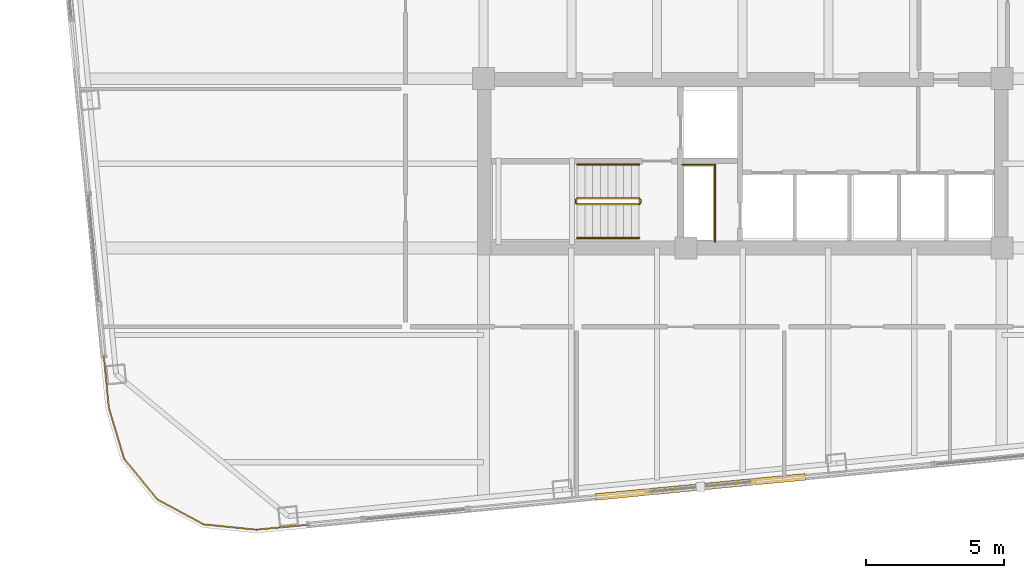
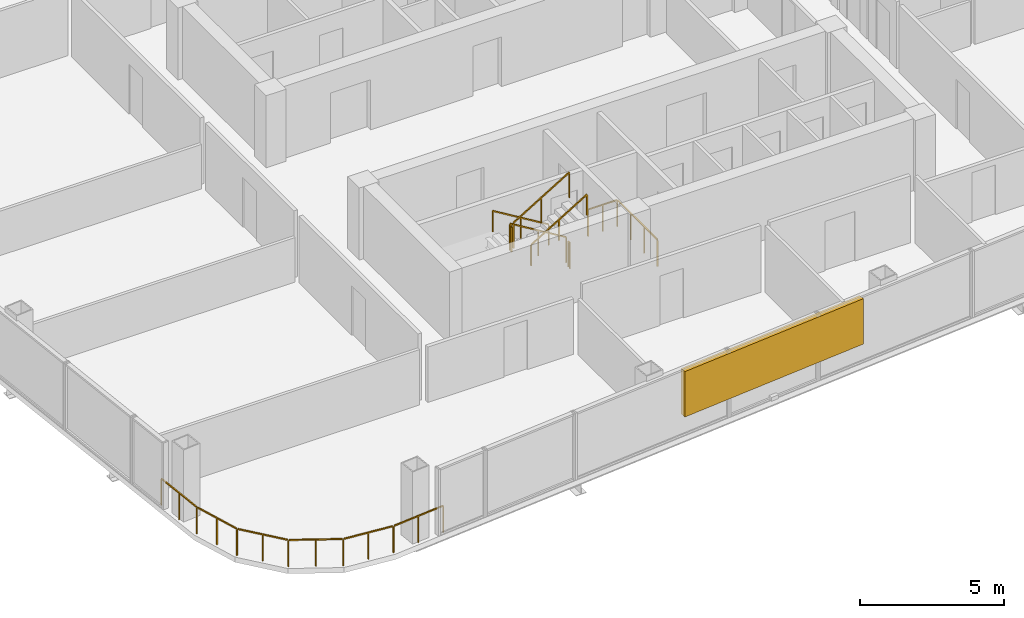
# One storey, part 20 of 22: 8 railings, 1 shading device.
"""IFC4 building model written with IfcOpenShell, lengths in metres."""

from ifc_helpers import new_model, si_unit, direction, frame, origin, origin_2d, place, context, subcontext, project, spatial, rectangle, extrude, material, type_object, element, save


model = new_model("IFC4")

# Units and contexts
model_context = context("Model", 3, precision=1e-05, world=origin(), true_north=direction((0.0, 1.0)))
body_context = subcontext(model_context, "Body", "Model", "MODEL_VIEW")
ifc_project = project(units=[si_unit("LENGTHUNIT", "METRE"), si_unit("AREAUNIT", "SQUARE_METRE"), si_unit("VOLUMEUNIT", "CUBIC_METRE"), si_unit("PLANEANGLEUNIT", "RADIAN"), si_unit("MASSUNIT", "GRAM", prefix="KILO")], contexts=[model_context])

# Site, building, storey
site_placement = place(None, origin())
site = spatial("IfcSite", under=ifc_project, at=site_placement, CompositionType="ELEMENT")
building_placement = place(site_placement, origin())
building = spatial("IfcBuilding", under=site, at=building_placement, Name="Qhalaya Broadcast Tower", CompositionType="ELEMENT")
storey_placement = place(building_placement, frame((0.0, 0.0, 174.449951171875)))
storey = spatial("IfcBuildingStorey", under=building, at=storey_placement, Name="L51", CompositionType="ELEMENT", Elevation=174.449951171875)

# Railings
ifc_material_1 = material(Name="Powder-Coated Galvanised Steel", Category="steel")
railing_type_1 = type_object("IfcRailingType", Name="Stair Wall Handrail 900", PredefinedType="HANDRAIL", material=ifc_material_1)
railing_1_placement = place(storey_placement, frame((-3.75, -5.72998046875, 0.16943359375)))
element("IfcRailing", 1, at=railing_1_placement, inside=storey, type_object=railing_type_1, Name="L51 ST-2 Stair Handrail 1", PredefinedType="HANDRAIL", context=body_context, shape_type="SweptSolid", body=[
    extrude(rectangle(XDim=0.048095703125, YDim=0.048095703125, at=origin_2d()), frame((0.0, 0.0, 0.8759765625), z_axis=(-0.855512035549, 0.0, 0.517782924622), x_axis=(0.0, -1.0, 0.0)), (0.0, 0.0, 1.0), 2.618408203125),
    extrude(rectangle(XDim=0.0419921875, YDim=0.0419921875, at=origin_2d()), origin(), (0.0, 0.0, 1.0), 0.849853515625),
    extrude(rectangle(XDim=0.0419921875, YDim=0.0419921875, at=origin_2d()), frame((-1.1201171875, 0.0, 0.677734375)), (0.0, 0.0, 1.0), 0.849853515625),
    extrude(rectangle(XDim=0.0419921875, YDim=0.0419921875, at=origin_2d()), frame((-2.239990234375, 0.0, 1.355712890625)), (0.0, 0.0, 1.0), 0.849853515625),
])
railing_2_placement = place(storey_placement, frame((-5.989990234375, -8.389892578125, 1.694580078125)))
element("IfcRailing", 2, at=railing_2_placement, inside=storey, type_object=railing_type_1, Name="L51 ST-2 Stair Handrail 2", PredefinedType="HANDRAIL", context=body_context, shape_type="SweptSolid", body=[
    extrude(rectangle(XDim=0.048095703125, YDim=0.048095703125, at=origin_2d()), frame((0.0, 0.0, 0.8759765625), z_axis=(0.855553338991, 0.0, 0.51771467445), x_axis=(0.0, 1.0, 0.0)), (0.0, 0.0, 1.0), 2.6181640625),
    extrude(rectangle(XDim=0.0419921875, YDim=0.0419921875, at=origin_2d()), origin(), (0.0, 0.0, 1.0), 0.849853515625),
    extrude(rectangle(XDim=0.0419921875, YDim=0.0419921875, at=origin_2d()), frame((1.1201171875, 0.0, 0.677734375)), (0.0, 0.0, 1.0), 0.849853515625),
    extrude(rectangle(XDim=0.0419921875, YDim=0.0419921875, at=origin_2d()), frame((2.239990234375, 0.0, 1.35546875)), (0.0, 0.0, 1.0), 0.849853515625),
])
railing_type_2 = type_object("IfcRailingType", Name="Stair Well & Landing Guardrail 1100", PredefinedType="GUARDRAIL", material=ifc_material_1)
railing_3_placement = place(storey_placement, frame((-1.0, -8.52001953125, 0.0)))
element("IfcRailing", 3, at=railing_3_placement, inside=storey, type_object=railing_type_2, Name="L51 Service Riser Opening Safety Guard SRSR", PredefinedType="GUARDRAIL", context=body_context, shape_type="SweptSolid", body=[
    extrude(rectangle(XDim=0.048095703125, YDim=0.048095703125, at=origin_2d()), frame((0.0, 0.0, 1.1259765625), z_axis=(0.0, 1.0, 0.0), x_axis=(-1.0, 0.0, 0.0)), (0.0, 0.0, 1.0), 2.751220703125),
    extrude(rectangle(XDim=0.048095703125, YDim=0.048095703125, at=origin_2d()), frame((-0.02880859375, 2.780029296875, 1.1259765625), z_axis=(-1.0, 0.0, 0.0), x_axis=(0.0, -1.0, 0.0)), (0.0, 0.0, 1.0), 1.151123046875),
    extrude(rectangle(XDim=0.0419921875, YDim=0.0419921875, at=origin_2d()), origin(), (0.0, 0.0, 1.0), 1.099853515625),
    extrude(rectangle(XDim=0.0419921875, YDim=0.0419921875, at=origin_2d()), frame((0.0, 0.9267578125, 0.0)), (0.0, 0.0, 1.0), 1.099853515625),
    extrude(rectangle(XDim=0.0419921875, YDim=0.0419921875, at=origin_2d()), frame((0.0, 1.853271484375, 0.0)), (0.0, 0.0, 1.0), 1.099853515625),
    extrude(rectangle(XDim=0.0419921875, YDim=0.0419921875, at=origin_2d()), frame((0.0, 2.780029296875, 0.0)), (0.0, 0.0, 1.0), 1.099853515625),
    extrude(rectangle(XDim=0.0419921875, YDim=0.0419921875, at=origin_2d()), frame((-0.58984375, 2.780029296875, 0.0)), (0.0, 0.0, 1.0), 1.099853515625),
    extrude(rectangle(XDim=0.0419921875, YDim=0.0419921875, at=origin_2d()), frame((-1.179931640625, 2.780029296875, 0.0)), (0.0, 0.0, 1.0), 1.099853515625),
])
railing_4_placement = place(storey_placement, frame((-3.75, -6.949951171875, 0.16943359375)))
element("IfcRailing", 4, at=railing_4_placement, inside=storey, type_object=railing_type_2, Name="L51 ST-2 Stair Guard 1", PredefinedType="GUARDRAIL", context=body_context, shape_type="SweptSolid", body=[
    extrude(rectangle(XDim=0.048095703125, YDim=0.048095703125, at=origin_2d()), frame((0.0, 0.0, 1.076171875), z_axis=(-0.855512035549, 0.0, 0.517782924622), x_axis=(0.0, -1.0, 0.0)), (0.0, 0.0, 1.0), 2.618408203125),
    extrude(rectangle(XDim=0.0419921875, YDim=0.0419921875, at=origin_2d()), origin(), (0.0, 0.0, 1.0), 1.050048828125),
    extrude(rectangle(XDim=0.0419921875, YDim=0.0419921875, at=origin_2d()), frame((-1.1201171875, 0.0, 0.677734375)), (0.0, 0.0, 1.0), 1.050048828125),
    extrude(rectangle(XDim=0.0419921875, YDim=0.0419921875, at=origin_2d()), frame((-2.239990234375, 0.0, 1.355712890625)), (0.0, 0.0, 1.0), 1.050048828125),
])
railing_5_placement = place(storey_placement, frame((-6.0400390625, -7.0, 1.525146484375)))
element("IfcRailing", 5, at=railing_5_placement, inside=storey, type_object=railing_type_2, Name="L51 ST-2 Stair Guard 2", PredefinedType="GUARDRAIL", context=body_context, shape_type="SweptSolid", body=[
    extrude(rectangle(XDim=0.048095703125, YDim=0.048095703125, at=origin_2d()), frame((0.0, 0.0, 1.076171875), z_axis=(0.0, -1.0, 0.0), x_axis=(1.0, 0.0, 0.0)), (0.0, 0.0, 1.0), 0.1201171875),
    extrude(rectangle(XDim=0.0419921875, YDim=0.0419921875, at=origin_2d()), origin(), (0.0, 0.0, 1.0), 1.050048828125),
    extrude(rectangle(XDim=0.0419921875, YDim=0.0419921875, at=origin_2d()), frame((0.0, -0.1201171875, 0.0)), (0.0, 0.0, 1.0), 1.050048828125),
])
railing_6_placement = place(storey_placement, frame((-5.989990234375, -7.169921875, 1.694580078125)))
element("IfcRailing", 6, at=railing_6_placement, inside=storey, type_object=railing_type_2, Name="L51 ST-2 Stair Guard 3", PredefinedType="GUARDRAIL", context=body_context, shape_type="SweptSolid", body=[
    extrude(rectangle(XDim=0.048095703125, YDim=0.048095703125, at=origin_2d()), frame((0.0, 0.0, 1.076171875), z_axis=(0.855553338991, 0.0, 0.51771467445), x_axis=(0.0, 1.0, 0.0)), (0.0, 0.0, 1.0), 2.6181640625),
    extrude(rectangle(XDim=0.0419921875, YDim=0.0419921875, at=origin_2d()), origin(), (0.0, 0.0, 1.0), 1.050048828125),
    extrude(rectangle(XDim=0.0419921875, YDim=0.0419921875, at=origin_2d()), frame((1.1201171875, 0.0, 0.677734375)), (0.0, 0.0, 1.0), 1.050048828125),
    extrude(rectangle(XDim=0.0419921875, YDim=0.0419921875, at=origin_2d()), frame((2.239990234375, 0.0, 1.35546875)), (0.0, 0.0, 1.0), 1.050048828125),
])
railing_7_placement = place(storey_placement, frame((-3.699951171875, -7.0, 0.0)))
element("IfcRailing", 7, at=railing_7_placement, inside=storey, type_object=railing_type_2, Name="L51 ST-2 Stair Guard 4", PredefinedType="GUARDRAIL", context=body_context, shape_type="SweptSolid", body=[
    extrude(rectangle(XDim=0.048095703125, YDim=0.048095703125, at=origin_2d()), frame((0.0, 0.0, 1.076171875), z_axis=(0.0, -1.0, 0.0), x_axis=(1.0, 0.0, 0.0)), (0.0, 0.0, 1.0), 0.1201171875),
    extrude(rectangle(XDim=0.0419921875, YDim=0.0419921875, at=origin_2d()), origin(), (0.0, 0.0, 1.0), 1.050048828125),
    extrude(rectangle(XDim=0.0419921875, YDim=0.0419921875, at=origin_2d()), frame((0.0, -0.1201171875, 0.0)), (0.0, 0.0, 1.0), 1.050048828125),
])
railing_type_3 = type_object("IfcRailingType", Name="Terrace, Sky-Pool & Lookout Glass Balustrade 1150", PredefinedType="BALUSTRADE", material=ifc_material_1)
railing_8_placement = place(storey_placement, frame((-15.479736328125, -18.73681640625, 0.0)))
element("IfcRailing", 8, at=railing_8_placement, inside=storey, type_object=railing_type_3, Name="L51 Rounded Corner Perimeter Guard 02", PredefinedType="BALUSTRADE", context=body_context, shape_type="SweptSolid", body=[
    extrude(rectangle(XDim=0.048095703125, YDim=0.048095703125, at=origin_2d()), frame((0.0, 0.0, 1.1259765625), z_axis=(-0.995391273094, -0.095896889673, 0.0), x_axis=(0.095896889673, -0.995391273094, 0.0)), (0.0, 0.0, 1.0), 2.08935546875),
    extrude(rectangle(XDim=0.048095703125, YDim=0.048095703125, at=origin_2d()), frame((-2.13720703125, -0.2001953125, 1.1259765625), z_axis=(-0.994968808814, 0.100185175984, 0.0), x_axis=(-0.100185175984, -0.994968808814, 0.0)), (0.0, 0.0, 1.0), 1.857666015625),
    extrude(rectangle(XDim=0.048095703125, YDim=0.048095703125, at=origin_2d()), frame((-4.03955078125, 0.00244140625, 1.1259765625), z_axis=(-0.880932037714, 0.473242797018, 0.0), x_axis=(-0.473242797018, -0.880932037714, 0.0)), (0.0, 0.0, 1.0), 1.845458984375),
    extrude(rectangle(XDim=0.048095703125, YDim=0.048095703125, at=origin_2d()), frame((-5.708984375, 0.911865234375, 1.1259765625), z_axis=(-0.632671796541, 0.774420039683, 0.0), x_axis=(-0.774420039683, -0.632671796541, 0.0)), (0.0, 0.0, 1.0), 1.845458984375),
    extrude(rectangle(XDim=0.048095703125, YDim=0.048095703125, at=origin_2d()), frame((-6.903076171875, 2.390869140625, 1.1259765625), z_axis=(-0.288213171456, 0.95756627332, 0.0), x_axis=(-0.95756627332, -0.288213171456, 0.0)), (0.0, 0.0, 1.0), 1.857421875),
    extrude(rectangle(XDim=0.048095703125, YDim=0.048095703125, at=origin_2d()), frame((-7.449462890625, 4.22607421875, 1.1259765625), z_axis=(-0.095782687057, 0.995402268864, 0.0), x_axis=(-0.995402268864, -0.095782687057, 0.0)), (0.0, 0.0, 1.0), 2.08935546875),
    extrude(rectangle(XDim=0.0419921875, YDim=0.0419921875, at=origin_2d()), origin(), (0.0, 0.0, 1.0), 1.099853515625),
    extrude(rectangle(XDim=0.0419921875, YDim=0.0419921875, at=origin_2d()), frame((-1.05419921875, -0.1015625, 0.0)), (0.0, 0.0, 1.0), 1.099853515625),
    extrude(rectangle(XDim=0.0419921875, YDim=0.0419921875, at=origin_2d()), frame((-2.1083984375, -0.203125, 0.0)), (0.0, 0.0, 1.0), 1.099853515625),
    extrude(rectangle(XDim=0.0419921875, YDim=0.0419921875, at=origin_2d()), frame((-3.061279296875, -0.107177734375, 0.0)), (0.0, 0.0, 1.0), 1.099853515625),
    extrude(rectangle(XDim=0.0419921875, YDim=0.0419921875, at=origin_2d()), frame((-4.01416015625, -0.01123046875, 0.0)), (0.0, 0.0, 1.0), 1.099853515625),
    extrude(rectangle(XDim=0.0419921875, YDim=0.0419921875, at=origin_2d()), frame((-4.8525390625, 0.43896484375, 0.0)), (0.0, 0.0, 1.0), 1.099853515625),
    extrude(rectangle(XDim=0.0419921875, YDim=0.0419921875, at=origin_2d()), frame((-5.690673828125, 0.889404296875, 0.0)), (0.0, 0.0, 1.0), 1.099853515625),
    extrude(rectangle(XDim=0.0419921875, YDim=0.0419921875, at=origin_2d()), frame((-6.292724609375, 1.62646484375, 0.0)), (0.0, 0.0, 1.0), 1.099853515625),
    extrude(rectangle(XDim=0.0419921875, YDim=0.0419921875, at=origin_2d()), frame((-6.894775390625, 2.36328125, 0.0)), (0.0, 0.0, 1.0), 1.099853515625),
    extrude(rectangle(XDim=0.0419921875, YDim=0.0419921875, at=origin_2d()), frame((-7.1708984375, 3.2802734375, 0.0)), (0.0, 0.0, 1.0), 1.099853515625),
    extrude(rectangle(XDim=0.0419921875, YDim=0.0419921875, at=origin_2d()), frame((-7.44677734375, 4.197265625, 0.0)), (0.0, 0.0, 1.0), 1.099853515625),
    extrude(rectangle(XDim=0.0419921875, YDim=0.0419921875, at=origin_2d()), frame((-7.54833984375, 5.25146484375, 0.0)), (0.0, 0.0, 1.0), 1.099853515625),
    extrude(rectangle(XDim=0.0419921875, YDim=0.0419921875, at=origin_2d()), frame((-7.649658203125, 6.3056640625, 0.0)), (0.0, 0.0, 1.0), 1.099853515625),
])

# Shading device
ifc_material_2 = material(Name="Fired Architectural Terracotta", Category="masonry")
shading_device_type = type_object("IfcShadingDeviceType", Name="Terracotta Baguette Solar Screen Assembly TBS-01", PredefinedType="USERDEFINED", material=ifc_material_2)
shading_device_placement = place(storey_placement, frame((-1.5244140625, -17.393310546875, 0.79248046875), z_axis=(0.0, 0.0, 1.0), x_axis=(0.995396198367, 0.09584575252, 0.0)))
element("IfcShadingDevice", 9, at=shading_device_placement, inside=storey, type_object=shading_device_type, Name="L51 Fired Terracotta Baguette Screen S", ObjectType="BAGUETTE", PredefinedType="USERDEFINED", context=body_context, shape_type="SweptSolid", body=[
    extrude(rectangle(XDim=7.60009765625, YDim=0.239990234375, at=origin_2d()), origin(), (0.0, 0.0, 1.0), 1.924072265625),
])

save(model, "model.ifc")
